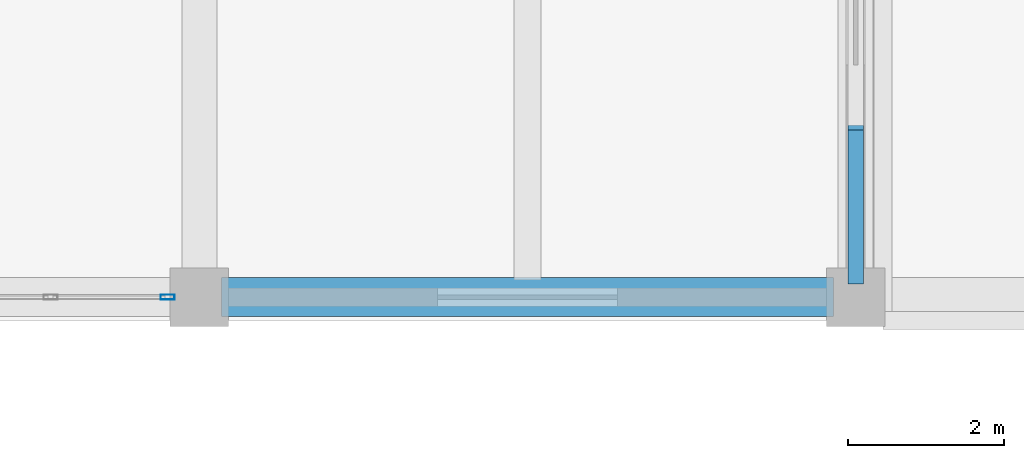
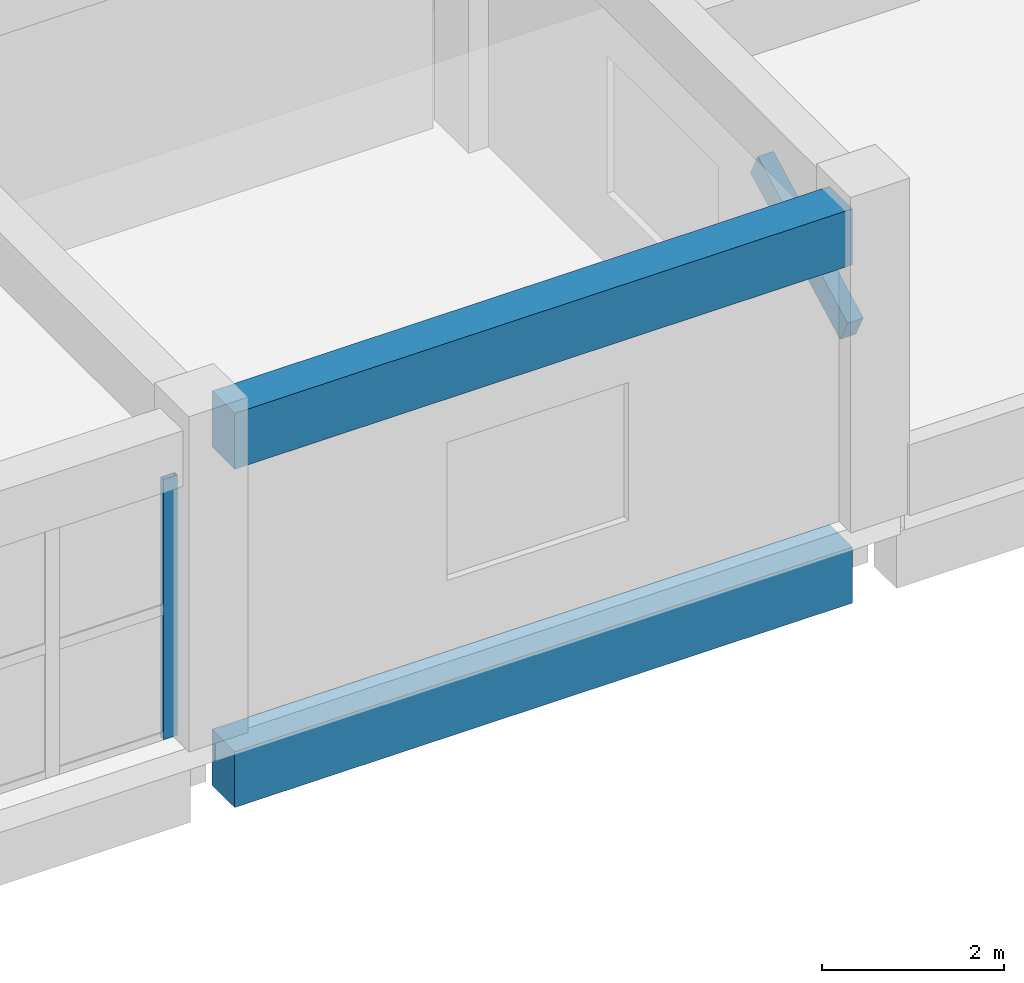
# One storey, part 77 of 114: 2 beams, 2 members, 1 element without a shape of its own.
"""IFC4 building model written with IfcOpenShell, lengths in metres."""

from ifc_helpers import new_model, si_unit, direction, frame, origin, origin_2d, place, context, subcontext, project, spatial, rectangle, hollow_rectangle, extrude, material, layer, layer_set, material_profile, profile_set, type_object, element, aggregate, save


model = new_model("IFC4")

# Units and contexts
model_context = context("Model", 3, precision=1e-05, world=origin(), true_north=direction((0.0, 1.0)))
body_context = subcontext(model_context, "Body", "Model", "MODEL_VIEW")
ifc_project = project(units=[si_unit("LENGTHUNIT", "METRE"), si_unit("AREAUNIT", "SQUARE_METRE"), si_unit("VOLUMEUNIT", "CUBIC_METRE"), si_unit("PLANEANGLEUNIT", "RADIAN"), si_unit("MASSUNIT", "GRAM", prefix="KILO")], contexts=[model_context])

# Site, building, storey
site_placement = place(None, origin())
site = spatial("IfcSite", under=ifc_project, at=site_placement, CompositionType="ELEMENT")
building_placement = place(site_placement, origin())
building = spatial("IfcBuilding", under=site, at=building_placement, Name="Xazarin Passage Department Store", CompositionType="ELEMENT")
storey_placement = place(building_placement, frame((0.0, 0.0, 14.39990234375)))
storey = spatial("IfcBuildingStorey", under=building, at=storey_placement, Name="L03", CompositionType="ELEMENT", Elevation=14.39990234375)

# Curtain wall, member
ifc_material_1 = material(Name="Bronze anodised aluminium", Category="aluminium")
ifc_layer = layer(ifc_material_1, 0.1650390625)
ifc_layer_set = layer_set([ifc_layer], Name="Bronze anodised aluminium")
curtain_wall_type = type_object("IfcCurtainWallType", Name="ARC-CW-OFF1", PredefinedType="NOTDEFINED", material=ifc_layer_set)
curtain_wall_placement = place(storey_placement, origin())
curtain_wall = element("IfcCurtainWall", 1, at=curtain_wall_placement, inside=storey, type_object=curtain_wall_type, Name="L03 V4 Curtain Wall 136", PredefinedType="NOTDEFINED")
ifc_material_profile_1 = material_profile(ifc_material_1, hollow_rectangle(XDim=0.06494140625, YDim=0.179931640625, WallThickness=0.00390625, at=origin_2d()), Name="ALU 65x180")
ifc_profile_set_1 = profile_set([ifc_material_profile_1], Name="Bronze anodised aluminium")
member_type_1 = type_object("IfcMemberType", Name="ARC-CWM-65x180", PredefinedType="MULLION", material=ifc_profile_set_1)
member_1_placement = place(storey_placement, frame((127.1923828125, 84.800048828125, 0.0), z_axis=(0.0, 0.0, 1.0), x_axis=(0.0, 1.0, 0.0)))
member_1 = element("IfcMember", 2, at=member_1_placement, type_object=member_type_1, Name="CW6 mullion 6", PredefinedType="MULLION", context=body_context, shape_type="SweptSolid", body=[
    extrude(hollow_rectangle(XDim=0.06494140625, YDim=0.179931640625, WallThickness=0.00390625, at=origin_2d()), origin(), (0.0, 0.0, 1.0), 3.489990234375),
])
aggregate(curtain_wall, [member_1])

# Beams
ifc_material_2 = material(Name="Concrete C35/45", Category="concrete")
ifc_material_profile_2 = material_profile(ifc_material_2, rectangle(XDim=0.5, YDim=0.75, at=origin_2d()), Name="RC 500x750")
ifc_profile_set_2 = profile_set([ifc_material_profile_2], Name="Concrete C35/45")
beam_type = type_object("IfcBeamType", Name="STR-BM-SP500x750", PredefinedType="SPANDREL", material=ifc_profile_set_2)
for number, where, z_axis, x_axis, name in (
    (3, (127.8798828125, 84.800048828125, -0.6748046875), (1.0, 0.0, 0.0), (0.0, 1.0, 0.0), "L03 Grid Beam M/18-19"),
    (4, (127.8798828125, 84.800048828125, 3.864990234375), (1.0, 0.0, 0.0), (0.0, 1.0, 0.0), "L03 Grid Beam M/18-19"),
):
    element("IfcBeam", number, at=place(storey_placement, frame(where, z_axis=z_axis, x_axis=x_axis)), inside=storey, type_object=beam_type, Name=name, PredefinedType="SPANDREL", context=body_context, shape_type="SweptSolid", body=[
        extrude(rectangle(XDim=0.5, YDim=0.75, at=origin_2d()), origin(), (0.0, 0.0, 1.0), 7.840087890625),
    ])

# Member
ifc_material_3 = material(Name="Concrete C40/50", Category="concrete")
ifc_material_profile_3 = material_profile(ifc_material_3, rectangle(XDim=0.199951171875, YDim=0.360107421875, at=origin_2d()), Name="RC 200x360")
ifc_profile_set_3 = profile_set([ifc_material_profile_3], Name="Concrete C40/50")
member_type_2 = type_object("IfcMemberType", Name="STR-MEM-ARC360", PredefinedType="CHORD", material=ifc_profile_set_3)
member_2_placement = place(storey_placement, frame((136.0, 85.050048828125, 2.22998046875), z_axis=(0.0, 0.884709354127, 0.466143066793), x_axis=(-1.0, 0.0, 0.0)))
element("IfcMember", 5, at=member_2_placement, inside=storey, type_object=member_type_2, Name="L03 V4 Upper Setback Pierced Arch 050.1", PredefinedType="CHORD", context=body_context, shape_type="SweptSolid", body=[
    extrude(rectangle(XDim=0.199951171875, YDim=0.360107421875, at=origin_2d()), origin(), (0.0, 0.0, 1.0), 2.232177734375),
])

save(model, "model.ifc")
